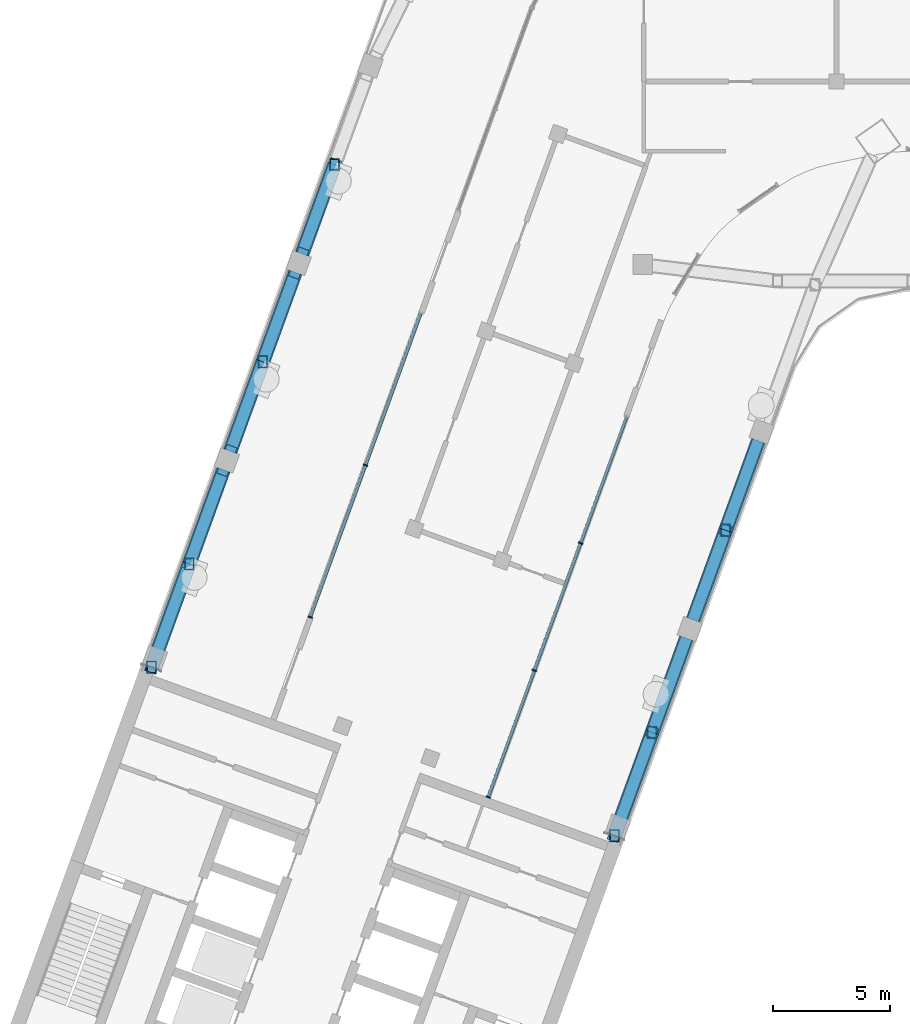
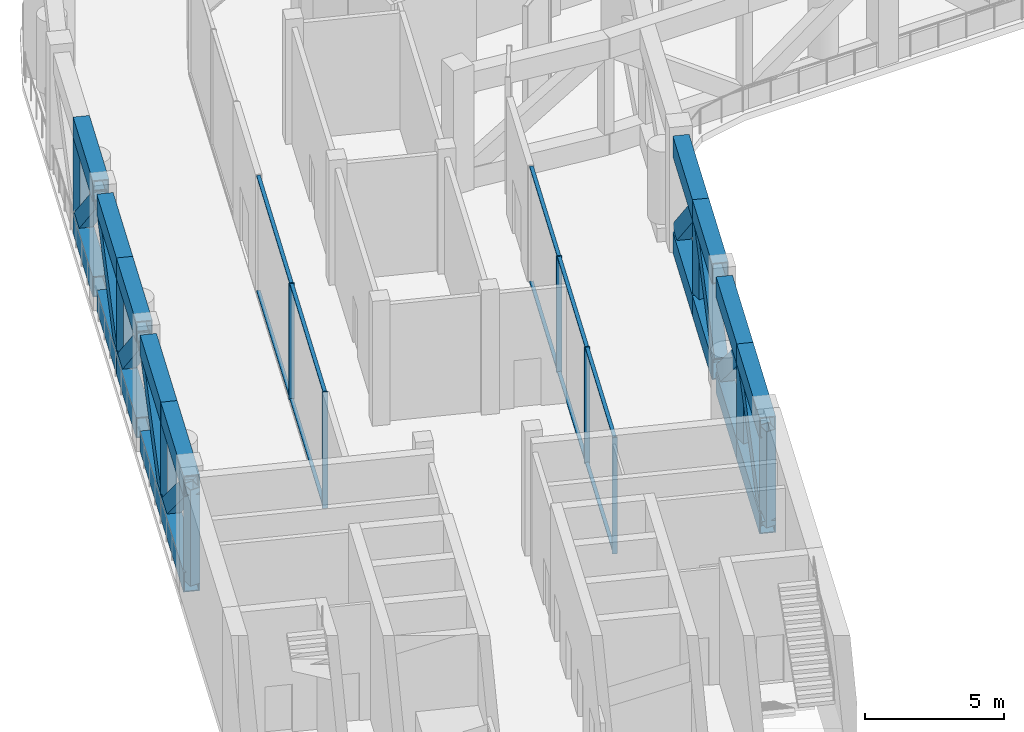
# One storey, part 2 of 19: 49 members, 2 elements without a shape of their own.
"""IFC4 building model written with IfcOpenShell, lengths in metres."""

from ifc_helpers import new_model, si_unit, direction, frame, origin, origin_2d, place, context, subcontext, project, spatial, rectangle, hollow_rectangle, extrude, material, material_profile, profile_set, type_object, element, aggregate, save


model = new_model("IFC4")

# Units and contexts
model_context = context("Model", 3, precision=1e-05, world=origin(), true_north=direction((0.0, 1.0)))
body_context = subcontext(model_context, "Body", "Model", "MODEL_VIEW")
ifc_project = project(units=[si_unit("LENGTHUNIT", "METRE"), si_unit("AREAUNIT", "SQUARE_METRE"), si_unit("VOLUMEUNIT", "CUBIC_METRE"), si_unit("PLANEANGLEUNIT", "RADIAN"), si_unit("MASSUNIT", "GRAM", prefix="KILO")], contexts=[model_context])

# Site, building, storey
site_placement = place(None, origin())
site = spatial("IfcSite", under=ifc_project, at=site_placement, CompositionType="ELEMENT")
building_placement = place(site_placement, origin())
building = spatial("IfcBuilding", under=site, at=building_placement, Name="Skarvind Civic Tower", CompositionType="ELEMENT")
storey_placement = place(building_placement, frame((0.0, 0.0, 129.0)))
storey = spatial("IfcBuildingStorey", under=building, at=storey_placement, Name="L30", CompositionType="ELEMENT", Elevation=129.0)

# Curtain wall, members
ifc_material_1 = material(Name="Aluminium alloy 6063 and laminated glass", Category="aluminium")
curtain_wall_type = type_object("IfcCurtainWallType", Name="CW3 SEPARATOR INNER GLAZING", PredefinedType="NOTDEFINED", material=ifc_material_1)
curtain_wall_1_placement = place(storey_placement, origin())
curtain_wall_1 = element("IfcCurtainWall", 1, at=curtain_wall_1_placement, inside=storey, type_object=curtain_wall_type, Name="SEPARATOR INNER GLAZING", PredefinedType="NOTDEFINED")
ifc_material_2 = material(Name="Aluminium alloy 6063", Category="aluminium")
ifc_material_profile_1 = material_profile(ifc_material_2, rectangle(XDim=0.199951171875, YDim=0.06005859375, at=origin_2d()), Name="AL 60x200")
ifc_profile_set_1 = profile_set([ifc_material_profile_1], Name="Aluminium alloy 6063")
member_type_1 = type_object("IfcMemberType", Name="CW3 MULLION 60x200", PredefinedType="MULLION", material=ifc_profile_set_1)
member_1_placement = place(storey_placement, frame((43.287841796875, 106.22216796875, 0.0), z_axis=(0.0, 0.0, 1.0), x_axis=(0.939693443578, -0.342017882714, 0.0)))
member_1 = element("IfcMember", 2, at=member_1_placement, type_object=member_type_1, Name="CW3 mullion 2", PredefinedType="MULLION", context=body_context, shape_type="SweptSolid", body=[
    extrude(rectangle(XDim=0.199951171875, YDim=0.06005859375, at=origin_2d()), origin(), (0.0, 0.0, 1.0), 5.125),
])
member_2_placement = place(storey_placement, frame((41.302978515625, 100.76806640625, 0.0), z_axis=(0.0, 0.0, 1.0), x_axis=(0.939693443578, -0.342017882714, 0.0)))
member_2 = element("IfcMember", 3, at=member_2_placement, type_object=member_type_1, Name="CW3 mullion 3", PredefinedType="MULLION", context=body_context, shape_type="SweptSolid", body=[
    extrude(rectangle(XDim=0.199951171875, YDim=0.06005859375, at=origin_2d()), origin(), (0.0, 0.0, 1.0), 5.125),
])
member_3_placement = place(storey_placement, frame((39.328125, 95.34228515625, 0.0), z_axis=(0.0, 0.0, 1.0), x_axis=(0.939693443578, -0.342017882714, 0.0)))
member_3 = element("IfcMember", 4, at=member_3_placement, type_object=member_type_1, Name="CW3 mullion 4", PredefinedType="MULLION", context=body_context, shape_type="SweptSolid", body=[
    extrude(rectangle(XDim=0.199951171875, YDim=0.06005859375, at=origin_2d()), origin(), (0.0, 0.0, 1.0), 5.125),
])

curtain_wall_2_placement = place(storey_placement, origin())
curtain_wall_2 = element("IfcCurtainWall", 5, at=curtain_wall_2_placement, inside=storey, type_object=curtain_wall_type, Name="SEPARATOR INNER GLAZING", PredefinedType="NOTDEFINED")
member_4_placement = place(storey_placement, frame((31.705078125, 103.052001953125, 0.0), z_axis=(0.0, 0.0, 1.0), x_axis=(-0.939692012762, 0.342021813854, 0.0)))
member_4 = element("IfcMember", 6, at=member_4_placement, type_object=member_type_1, Name="CW3 mullion 1", PredefinedType="MULLION", context=body_context, shape_type="SweptSolid", body=[
    extrude(rectangle(XDim=0.199951171875, YDim=0.06005859375, at=origin_2d()), origin(), (0.0, 0.0, 1.0), 5.125),
])
member_5_placement = place(storey_placement, frame((34.073974609375, 109.56005859375, 0.0), z_axis=(0.0, 0.0, 1.0), x_axis=(-0.939692012762, 0.342021813854, 0.0)))
member_5 = element("IfcMember", 7, at=member_5_placement, type_object=member_type_1, Name="CW3 mullion 2", PredefinedType="MULLION", context=body_context, shape_type="SweptSolid", body=[
    extrude(rectangle(XDim=0.199951171875, YDim=0.06005859375, at=origin_2d()), origin(), (0.0, 0.0, 1.0), 5.125),
])

# Member
ifc_material_profile_2 = material_profile(ifc_material_2, rectangle(XDim=0.139892578125, YDim=0.06005859375, at=origin_2d()), Name="AL 60x140")
ifc_profile_set_2 = profile_set([ifc_material_profile_2], Name="Aluminium alloy 6063")
member_type_2 = type_object("IfcMemberType", Name="CW3 TRANSOM 60x140", PredefinedType="USERDEFINED", material=ifc_profile_set_2)
member_6_placement = place(storey_placement, frame((45.25244140625, 111.61962890625, 0.030029296875), z_axis=(-0.342027788572, -0.939689838109, 0.0), x_axis=(0.939689838109, -0.342027788572, 0.0)))
member_6 = element("IfcMember", 8, at=member_6_placement, type_object=member_type_2, Name="CW3 transom 1.1", ObjectType="TRANSOM", PredefinedType="USERDEFINED", context=body_context, shape_type="SweptSolid", body=[
    extrude(rectangle(XDim=0.139892578125, YDim=0.06005859375, at=origin_2d()), origin(), (0.0, 0.0, 1.0), 5.714111328125),
])

member_7_placement = place(storey_placement, frame((45.25244140625, 111.61962890625, 5.094970703125), z_axis=(-0.342027788572, -0.939689838109, 0.0), x_axis=(0.939689838109, -0.342027788572, 0.0)))
member_7 = element("IfcMember", 9, at=member_7_placement, type_object=member_type_2, Name="CW3 transom 1.2", ObjectType="TRANSOM", PredefinedType="USERDEFINED", context=body_context, shape_type="SweptSolid", body=[
    extrude(rectangle(XDim=0.139892578125, YDim=0.06005859375, at=origin_2d()), origin(), (0.0, 0.0, 1.0), 5.714111328125),
])

member_8_placement = place(storey_placement, frame((43.277587890625, 106.19384765625, 0.030029296875), z_axis=(-0.341995598976, -0.939701553836, 0.0), x_axis=(0.939701553836, -0.341995598976, 0.0)))
member_8 = element("IfcMember", 10, at=member_8_placement, type_object=member_type_2, Name="CW3 transom 2.1", ObjectType="TRANSOM", PredefinedType="USERDEFINED", context=body_context, shape_type="SweptSolid", body=[
    extrude(rectangle(XDim=0.139892578125, YDim=0.06005859375, at=origin_2d()), origin(), (0.0, 0.0, 1.0), 5.743896484375),
])

member_9_placement = place(storey_placement, frame((43.277587890625, 106.19384765625, 5.094970703125), z_axis=(-0.341995598976, -0.939701553836, 0.0), x_axis=(0.939701553836, -0.341995598976, 0.0)))
member_9 = element("IfcMember", 11, at=member_9_placement, type_object=member_type_2, Name="CW3 transom 2.2", ObjectType="TRANSOM", PredefinedType="USERDEFINED", context=body_context, shape_type="SweptSolid", body=[
    extrude(rectangle(XDim=0.139892578125, YDim=0.06005859375, at=origin_2d()), origin(), (0.0, 0.0, 1.0), 5.743896484375),
])

member_10_placement = place(storey_placement, frame((41.292724609375, 100.739990234375, 0.030029296875), z_axis=(-0.342027788572, -0.939689838109, 0.0), x_axis=(0.939689838109, -0.342027788572, 0.0)))
member_10 = element("IfcMember", 12, at=member_10_placement, type_object=member_type_2, Name="CW3 transom 3.1", ObjectType="TRANSOM", PredefinedType="USERDEFINED", context=body_context, shape_type="SweptSolid", body=[
    extrude(rectangle(XDim=0.139892578125, YDim=0.06005859375, at=origin_2d()), origin(), (0.0, 0.0, 1.0), 5.714111328125),
])

member_11_placement = place(storey_placement, frame((41.292724609375, 100.739990234375, 5.094970703125), z_axis=(-0.342027788572, -0.939689838109, 0.0), x_axis=(0.939689838109, -0.342027788572, 0.0)))
member_11 = element("IfcMember", 13, at=member_11_placement, type_object=member_type_2, Name="CW3 transom 3.2", ObjectType="TRANSOM", PredefinedType="USERDEFINED", context=body_context, shape_type="SweptSolid", body=[
    extrude(rectangle(XDim=0.139892578125, YDim=0.06005859375, at=origin_2d()), origin(), (0.0, 0.0, 1.0), 5.714111328125),
])

aggregate(curtain_wall_1, [member_1, member_2, member_3, member_6, member_7, member_8, member_9, member_10, member_11])

member_12_placement = place(storey_placement, frame((31.71533203125, 103.080078125, 0.030029296875), z_axis=(0.34204283214, 0.939684362422, 0.0), x_axis=(-0.939684362422, 0.34204283214, 0.0)))
member_12 = element("IfcMember", 14, at=member_12_placement, type_object=member_type_2, Name="CW3 transom 1.1", ObjectType="TRANSOM", PredefinedType="USERDEFINED", context=body_context, shape_type="SweptSolid", body=[
    extrude(rectangle(XDim=0.139892578125, YDim=0.06005859375, at=origin_2d()), origin(), (0.0, 0.0, 1.0), 6.86572265625),
])

member_13_placement = place(storey_placement, frame((31.71533203125, 103.080078125, 5.094970703125), z_axis=(0.34204283214, 0.939684362422, 0.0), x_axis=(-0.939684362422, 0.34204283214, 0.0)))
member_13 = element("IfcMember", 15, at=member_13_placement, type_object=member_type_2, Name="CW3 transom 1.2", ObjectType="TRANSOM", PredefinedType="USERDEFINED", context=body_context, shape_type="SweptSolid", body=[
    extrude(rectangle(XDim=0.139892578125, YDim=0.06005859375, at=origin_2d()), origin(), (0.0, 0.0, 1.0), 6.86572265625),
])

member_14_placement = place(storey_placement, frame((34.084228515625, 109.588134765625, 0.030029296875), z_axis=(0.342000004658, 0.939699950417, 0.0), x_axis=(-0.939699950417, 0.342000004658, 0.0)))
member_14 = element("IfcMember", 16, at=member_14_placement, type_object=member_type_2, Name="CW3 transom 2.1", ObjectType="TRANSOM", PredefinedType="USERDEFINED", context=body_context, shape_type="SweptSolid", body=[
    extrude(rectangle(XDim=0.139892578125, YDim=0.06005859375, at=origin_2d()), origin(), (0.0, 0.0, 1.0), 6.865966796875),
])

member_15_placement = place(storey_placement, frame((34.084228515625, 109.588134765625, 5.094970703125), z_axis=(0.342000004658, 0.939699950417, 0.0), x_axis=(-0.939699950417, 0.342000004658, 0.0)))
member_15 = element("IfcMember", 17, at=member_15_placement, type_object=member_type_2, Name="CW3 transom 2.2", ObjectType="TRANSOM", PredefinedType="USERDEFINED", context=body_context, shape_type="SweptSolid", body=[
    extrude(rectangle(XDim=0.139892578125, YDim=0.06005859375, at=origin_2d()), origin(), (0.0, 0.0, 1.0), 6.865966796875),
])

aggregate(curtain_wall_2, [member_4, member_5, member_12, member_13, member_14, member_15])

# Members
ifc_material_3 = material(Name="Steel SM355", Category="steel")
ifc_material_profile_3 = material_profile(ifc_material_3, hollow_rectangle(XDim=0.60009765625, YDim=0.89990234375, WallThickness=0.0400390625, at=origin_2d()), Name="BOX-900x600x40")
ifc_profile_set_3 = profile_set([ifc_material_profile_3], Name="Steel SM355")
member_type_3 = type_object("IfcMemberType", Name="Truss chord BOX-900x600x40 SM355", PredefinedType="CHORD", material=ifc_profile_set_3)
for number, where, z_axis, x_axis, name in (
    (18, (50.89453125, 110.601806640625, 0.449951171875), (-0.341973951967, -0.93970943178, 0.0), (0.93970943178, -0.341973951967, 0.0), "Outrigger truss L30 W2N chord"),
    (19, (50.89453125, 110.601806640625, 4.675048828125), (-0.341973951967, -0.93970943178, 0.0), (0.93970943178, -0.341973951967, 0.0), "Outrigger truss L30 W2N chord"),
):
    element("IfcMember", number, at=place(storey_placement, frame(where, z_axis=z_axis, x_axis=x_axis)), inside=storey, type_object=member_type_3, Name=name, PredefinedType="CHORD", context=body_context, shape_type="SweptSolid", body=[
        extrude(hollow_rectangle(XDim=0.60009765625, YDim=0.89990234375, WallThickness=0.0400390625, at=origin_2d()), origin(), (0.0, 0.0, 1.0), 4.074951171875),
    ])
for number, where, z_axis, x_axis, name in (
    (20, (49.5009765625, 106.7724609375, 0.449951171875), (-0.342026855282, -0.939690177806, 0.0), (0.939690177806, -0.342026855282, 0.0), "Outrigger truss L30 W2N chord"),
    (21, (49.5009765625, 106.7724609375, 4.675048828125), (-0.342026855282, -0.939690177806, 0.0), (0.939690177806, -0.342026855282, 0.0), "Outrigger truss L30 W2N chord"),
):
    element("IfcMember", number, at=place(storey_placement, frame(where, z_axis=z_axis, x_axis=x_axis)), inside=storey, type_object=member_type_3, Name=name, PredefinedType="CHORD", context=body_context, shape_type="SweptSolid", body=[
        extrude(hollow_rectangle(XDim=0.60009765625, YDim=0.89990234375, WallThickness=0.0400390625, at=origin_2d()), origin(), (0.0, 0.0, 1.0), 4.0751953125),
    ])
for number, where, z_axis, x_axis, name in (
    (22, (47.81640625, 102.14453125, 0.449951171875), (-0.341989935824, -0.939703614868, 0.0), (0.939703614868, -0.341989935824, 0.0), "Outrigger truss L30 W2N chord"),
    (23, (47.81640625, 102.14453125, 4.675048828125), (-0.341989935824, -0.939703614868, 0.0), (0.939703614868, -0.341989935824, 0.0), "Outrigger truss L30 W2N chord"),
):
    element("IfcMember", number, at=place(storey_placement, frame(where, z_axis=z_axis, x_axis=x_axis)), inside=storey, type_object=member_type_3, Name=name, PredefinedType="CHORD", context=body_context, shape_type="SweptSolid", body=[
        extrude(hollow_rectangle(XDim=0.60009765625, YDim=0.89990234375, WallThickness=0.0400390625, at=origin_2d()), origin(), (0.0, 0.0, 1.0), 4.28759765625),
    ])
for number, where, z_axis, x_axis, name in (
    (24, (46.35009765625, 98.115478515625, 0.449951171875), (-0.342034228471, -0.939687494093, 0.0), (0.939687494093, -0.342034228471, 0.0), "Outrigger truss L30 W2N chord"),
    (25, (46.35009765625, 98.115478515625, 4.675048828125), (-0.342034228471, -0.939687494093, 0.0), (0.939687494093, -0.342034228471, 0.0), "Outrigger truss L30 W2N chord"),
):
    element("IfcMember", number, at=place(storey_placement, frame(where, z_axis=z_axis, x_axis=x_axis)), inside=storey, type_object=member_type_3, Name=name, PredefinedType="CHORD", context=body_context, shape_type="SweptSolid", body=[
        extrude(hollow_rectangle(XDim=0.60009765625, YDim=0.89990234375, WallThickness=0.0400390625, at=origin_2d()), origin(), (0.0, 0.0, 1.0), 4.71240234375),
    ])
for number, where, z_axis, x_axis, name in (
    (26, (32.75146484375, 122.4462890625, 0.449951171875), (-0.341973951967, -0.93970943178, 0.0), (0.93970943178, -0.341973951967, 0.0), "Outrigger truss L30 W2S chord"),
    (27, (32.75146484375, 122.4462890625, 4.675048828125), (-0.341973951967, -0.93970943178, 0.0), (0.93970943178, -0.341973951967, 0.0), "Outrigger truss L30 W2S chord"),
):
    element("IfcMember", number, at=place(storey_placement, frame(where, z_axis=z_axis, x_axis=x_axis)), inside=storey, type_object=member_type_3, Name=name, PredefinedType="CHORD", context=body_context, shape_type="SweptSolid", body=[
        extrude(hollow_rectangle(XDim=0.60009765625, YDim=0.89990234375, WallThickness=0.0400390625, at=origin_2d()), origin(), (0.0, 0.0, 1.0), 4.074951171875),
    ])
for number, where, z_axis, x_axis, name in (
    (28, (31.067138671875, 117.818359375, 0.449951171875), (-0.342026855282, -0.939690177806, 0.0), (0.939690177806, -0.342026855282, 0.0), "Outrigger truss L30 W2S chord"),
    (29, (31.067138671875, 117.818359375, 4.675048828125), (-0.342026855282, -0.939690177806, 0.0), (0.939690177806, -0.342026855282, 0.0), "Outrigger truss L30 W2S chord"),
):
    element("IfcMember", number, at=place(storey_placement, frame(where, z_axis=z_axis, x_axis=x_axis)), inside=storey, type_object=member_type_3, Name=name, PredefinedType="CHORD", context=body_context, shape_type="SweptSolid", body=[
        extrude(hollow_rectangle(XDim=0.60009765625, YDim=0.89990234375, WallThickness=0.0400390625, at=origin_2d()), origin(), (0.0, 0.0, 1.0), 4.0751953125),
    ])
for number, where, z_axis, x_axis, name in (
    (30, (29.67333984375, 113.989013671875, 0.449951171875), (-0.342046111362, -0.939683168787, 0.0), (0.939683168787, -0.342046111362, 0.0), "Outrigger truss L30 W2S chord"),
    (31, (29.67333984375, 113.989013671875, 4.675048828125), (-0.342046111362, -0.939683168787, 0.0), (0.939683168787, -0.342046111362, 0.0), "Outrigger truss L30 W2S chord"),
):
    element("IfcMember", number, at=place(storey_placement, frame(where, z_axis=z_axis, x_axis=x_axis)), inside=storey, type_object=member_type_3, Name=name, PredefinedType="CHORD", context=body_context, shape_type="SweptSolid", body=[
        extrude(hollow_rectangle(XDim=0.60009765625, YDim=0.89990234375, WallThickness=0.0400390625, at=origin_2d()), origin(), (0.0, 0.0, 1.0), 4.074951171875),
    ])
for number, where, z_axis, x_axis, name in (
    (32, (27.989013671875, 109.361083984375, 0.449951171875), (-0.342058518133, -0.939678652611, 0.0), (0.939678652611, -0.342058518133, 0.0), "Outrigger truss L30 W2S chord"),
    (33, (27.989013671875, 109.361083984375, 4.675048828125), (-0.342058518133, -0.939678652611, 0.0), (0.939678652611, -0.342058518133, 0.0), "Outrigger truss L30 W2S chord"),
):
    element("IfcMember", number, at=place(storey_placement, frame(where, z_axis=z_axis, x_axis=x_axis)), inside=storey, type_object=member_type_3, Name=name, PredefinedType="CHORD", context=body_context, shape_type="SweptSolid", body=[
        extrude(hollow_rectangle(XDim=0.60009765625, YDim=0.89990234375, WallThickness=0.0400390625, at=origin_2d()), origin(), (0.0, 0.0, 1.0), 4.287353515625),
    ])
for number, where, z_axis, x_axis, name in (
    (34, (26.5224609375, 105.332275390625, 0.449951171875), (-0.342017577969, -0.939693554495, 0.0), (0.939693554495, -0.342017577969, 0.0), "Outrigger truss L30 W2S chord"),
    (35, (26.5224609375, 105.332275390625, 4.675048828125), (-0.342017577969, -0.939693554495, 0.0), (0.939693554495, -0.342017577969, 0.0), "Outrigger truss L30 W2S chord"),
):
    element("IfcMember", number, at=place(storey_placement, frame(where, z_axis=z_axis, x_axis=x_axis)), inside=storey, type_object=member_type_3, Name=name, PredefinedType="CHORD", context=body_context, shape_type="SweptSolid", body=[
        extrude(hollow_rectangle(XDim=0.60009765625, YDim=0.89990234375, WallThickness=0.0400390625, at=origin_2d()), origin(), (0.0, 0.0, 1.0), 4.712646484375),
    ])
ifc_material_profile_4 = material_profile(ifc_material_3, hollow_rectangle(XDim=0.5, YDim=0.699951171875, WallThickness=0.028076171875, at=origin_2d()), Name="BOX-700x500x28")
ifc_profile_set_4 = profile_set([ifc_material_profile_4], Name="Steel SM355")
member_type_4 = type_object("IfcMemberType", Name="Truss diagonal BOX-700x500x28 SM355", PredefinedType="BRACE", material=ifc_profile_set_4)
for number, where, z_axis, x_axis, name in (
    (36, (50.89453125, 110.601806640625, 0.84912109375), (-0.249312147027, -0.68508427227, 0.684472784874), (0.93970943178, -0.341973951967, 0.0), "Outrigger truss L30 W2N diagonal"),
    (37, (49.5009765625, 106.7724609375, 4.675048828125), (-0.249353109176, -0.6850768116, -0.684465330863), (0.939690177806, -0.342026855282, 0.0), "Outrigger truss L30 W2N diagonal"),
):
    element("IfcMember", number, at=place(storey_placement, frame(where, z_axis=z_axis, x_axis=x_axis)), inside=storey, type_object=member_type_4, Name=name, PredefinedType="BRACE", context=body_context, shape_type="SweptSolid", body=[
        extrude(hollow_rectangle(XDim=0.5, YDim=0.699951171875, WallThickness=0.028076171875, at=origin_2d()), origin(), (0.0, 0.0, 1.0), 5.589599609375),
    ])
member_16_placement = place(storey_placement, frame((47.81640625, 102.14453125, 0.8310546875), z_axis=(-0.254636479875, -0.699677959936, 0.667541021583), x_axis=(0.939703614868, -0.341989935824, 0.0)))
element("IfcMember", 38, at=member_16_placement, inside=storey, type_object=member_type_4, Name="Outrigger truss L30 W2N diagonal", PredefinedType="BRACE", context=body_context, shape_type="SweptSolid", body=[
    extrude(hollow_rectangle(XDim=0.5, YDim=0.699951171875, WallThickness=0.028076171875, at=origin_2d()), origin(), (0.0, 0.0, 1.0), 5.758544921875),
])
member_17_placement = place(storey_placement, frame((46.35009765625, 98.115478515625, 4.675048828125), z_axis=(-0.254664210309, -0.699651536895, -0.667558137474), x_axis=(0.939687494093, -0.342034228471, 0.0)))
element("IfcMember", 39, at=member_17_placement, inside=storey, type_object=member_type_4, Name="Outrigger truss L30 W2N diagonal", PredefinedType="BRACE", context=body_context, shape_type="SweptSolid", body=[
    extrude(hollow_rectangle(XDim=0.5, YDim=0.699951171875, WallThickness=0.028076171875, at=origin_2d()), origin(), (0.0, 0.0, 1.0), 6.3291015625),
])
for number, where, z_axis, x_axis, name in (
    (40, (32.75146484375, 122.4462890625, 0.449951171875), (-0.249312147027, -0.68508427227, 0.684472784874), (0.93970943178, -0.341973951967, 0.0), "Outrigger truss L30 W2S diagonal"),
    (41, (31.067138671875, 117.818359375, 4.27587890625), (-0.249353109176, -0.6850768116, -0.684465330863), (0.939690177806, -0.342026855282, 0.0), "Outrigger truss L30 W2S diagonal"),
    (42, (29.67333984375, 113.989013671875, 0.449951171875), (-0.249360570475, -0.685053632392, 0.684485811861), (0.939683168787, -0.342046111362, 0.0), "Outrigger truss L30 W2S diagonal"),
):
    element("IfcMember", number, at=place(storey_placement, frame(where, z_axis=z_axis, x_axis=x_axis)), inside=storey, type_object=member_type_4, Name=name, PredefinedType="BRACE", context=body_context, shape_type="SweptSolid", body=[
        extrude(hollow_rectangle(XDim=0.5, YDim=0.699951171875, WallThickness=0.028076171875, at=origin_2d()), origin(), (0.0, 0.0, 1.0), 5.589599609375),
    ])
member_18_placement = place(storey_placement, frame((27.989013671875, 109.361083984375, 4.2939453125), z_axis=(-0.25468368196, -0.699648763061, -0.667553616192), x_axis=(0.939678652611, -0.342058518133, 0.0)))
element("IfcMember", 43, at=member_18_placement, inside=storey, type_object=member_type_4, Name="Outrigger truss L30 W2S diagonal", PredefinedType="BRACE", context=body_context, shape_type="SweptSolid", body=[
    extrude(hollow_rectangle(XDim=0.5, YDim=0.699951171875, WallThickness=0.028076171875, at=origin_2d()), origin(), (0.0, 0.0, 1.0), 5.75830078125),
])
member_19_placement = place(storey_placement, frame((26.5224609375, 105.332275390625, 0.449951171875), z_axis=(-0.254657337465, -0.699671227548, 0.667540121503), x_axis=(0.939693554495, -0.342017577969, 0.0)))
element("IfcMember", 44, at=member_19_placement, inside=storey, type_object=member_type_4, Name="Outrigger truss L30 W2S diagonal", PredefinedType="BRACE", context=body_context, shape_type="SweptSolid", body=[
    extrude(hollow_rectangle(XDim=0.5, YDim=0.699951171875, WallThickness=0.028076171875, at=origin_2d()), origin(), (0.0, 0.0, 1.0), 6.329345703125),
])
ifc_material_profile_5 = material_profile(ifc_material_3, hollow_rectangle(XDim=0.39990234375, YDim=0.5, WallThickness=0.02001953125, at=origin_2d()), Name="BOX-500x400x20")
ifc_profile_set_5 = profile_set([ifc_material_profile_5], Name="Steel SM355")
member_type_5 = type_object("IfcMemberType", Name="Truss post BOX-500x400x20 SM355", PredefinedType="POST", material=ifc_profile_set_5)
for number, where, z_axis, x_axis, name in (
    (45, (49.5009765625, 106.7724609375, 0.449951171875), (0.0, 0.0, 1.0), (1.0, 0.0, 0.0), "Outrigger truss L30 W2N post"),
    (46, (46.35009765625, 98.115478515625, 0.449951171875), (0.0, 0.0, 1.0), (1.0, 0.0, 0.0), "Outrigger truss L30 W2N post"),
    (47, (44.73828125, 93.687255859375, 0.449951171875), (0.0, 0.0, 1.0), (1.0, 0.0, 0.0), "Outrigger truss L30 W2N post"),
    (48, (32.75146484375, 122.4462890625, 0.449951171875), (0.0, 0.0, 1.0), (1.0, 0.0, 0.0), "Outrigger truss L30 W2S post"),
    (49, (29.67333984375, 113.989013671875, 0.449951171875), (0.0, 0.0, 1.0), (1.0, 0.0, 0.0), "Outrigger truss L30 W2S post"),
    (50, (26.5224609375, 105.332275390625, 0.449951171875), (0.0, 0.0, 1.0), (1.0, 0.0, 0.0), "Outrigger truss L30 W2S post"),
    (51, (24.91064453125, 100.90380859375, 0.449951171875), (0.0, 0.0, 1.0), (1.0, 0.0, 0.0), "Outrigger truss L30 W2S post"),
):
    element("IfcMember", number, at=place(storey_placement, frame(where, z_axis=z_axis, x_axis=x_axis)), inside=storey, type_object=member_type_5, Name=name, PredefinedType="POST", context=body_context, shape_type="SweptSolid", body=[
        extrude(hollow_rectangle(XDim=0.39990234375, YDim=0.5, WallThickness=0.02001953125, at=origin_2d()), origin(), (0.0, 0.0, 1.0), 4.22509765625),
    ])

save(model, "model.ifc")
